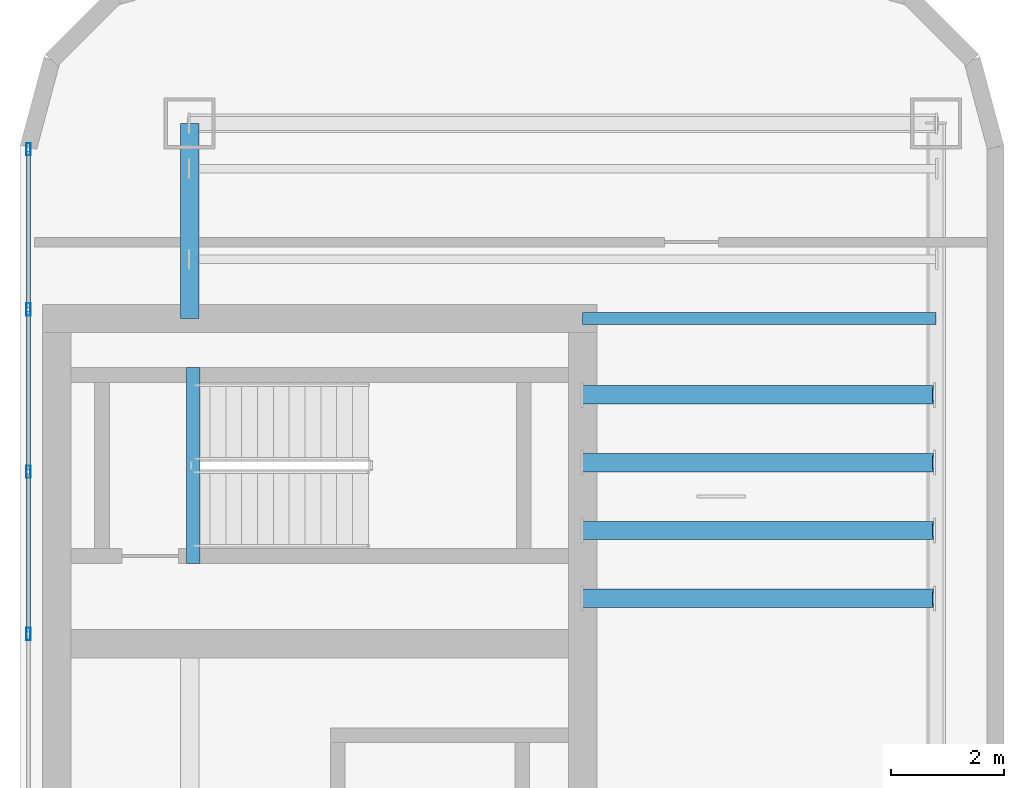
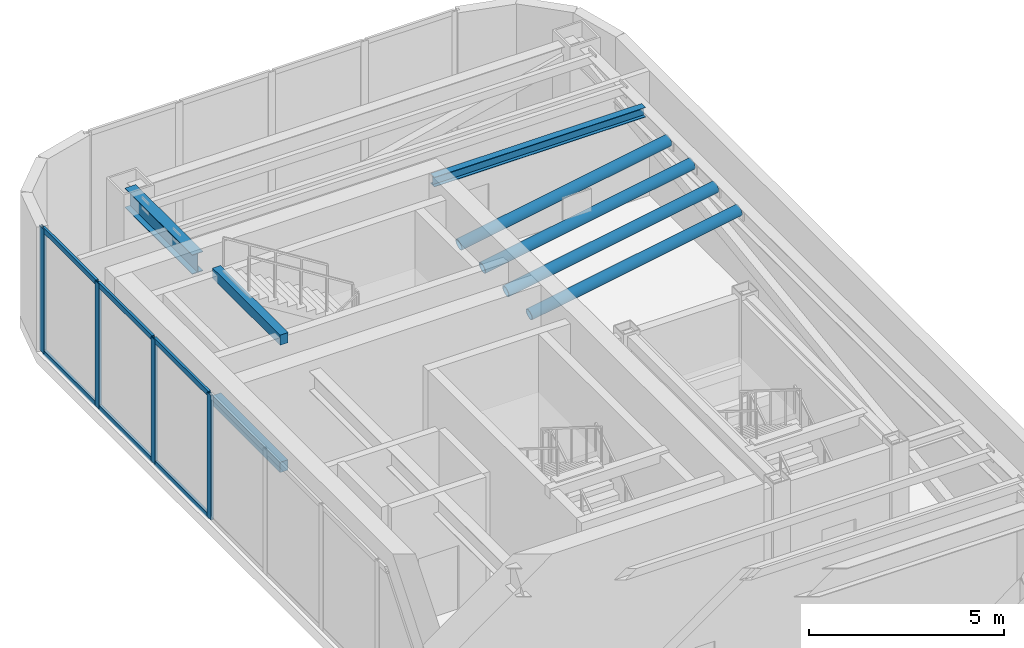
# One storey, part 5 of 9: 14 members, 4 beams, 1 element without a shape of its own.
"""IFC4 building model written with IfcOpenShell, lengths in metres."""

from ifc_helpers import new_model, si_unit, direction, frame, origin, origin_2d, place, context, subcontext, project, spatial, rectangle, hollow_rectangle, hollow_circle, i_section, extrude, material, layer, layer_set, material_profile, profile_set, type_object, element, aggregate, save


model = new_model("IFC4")

# Units and contexts
model_context = context("Model", 3, precision=1e-05, world=origin(), true_north=direction((0.0, 1.0)))
body_context = subcontext(model_context, "Body", "Model", "MODEL_VIEW")
ifc_project = project(units=[si_unit("LENGTHUNIT", "METRE"), si_unit("AREAUNIT", "SQUARE_METRE"), si_unit("VOLUMEUNIT", "CUBIC_METRE"), si_unit("PLANEANGLEUNIT", "RADIAN"), si_unit("MASSUNIT", "GRAM", prefix="KILO")], contexts=[model_context])

# Site, building, storey
site_placement = place(None, origin())
site = spatial("IfcSite", under=ifc_project, at=site_placement, CompositionType="ELEMENT")
building_placement = place(site_placement, origin())
building = spatial("IfcBuilding", under=site, at=building_placement, Name="Kiyonajd Concourse Tower", CompositionType="ELEMENT")
storey_placement = place(building_placement, frame((0.0, 0.0, 372.89990234375)))
storey = spatial("IfcBuildingStorey", under=building, at=storey_placement, Name="L93", CompositionType="ELEMENT", Elevation=372.89990234375)

# Beams
ifc_material_1 = material(Name="Steel ASTM A992 Grade 50", Category="steel")
ifc_material_profile_1 = material_profile(ifc_material_1, i_section(OverallWidth=0.2041015625, OverallDepth=0.305908203125, WebThickness=0.008544921875, FlangeThickness=0.0146484375, at=origin_2d()), Name="W310X67")
ifc_profile_set_1 = profile_set([ifc_material_profile_1], Name="Steel ASTM A992 Grade 50")
beam_type_1 = type_object("IfcBeamType", Name="BM-CRN-310", PredefinedType="BEAM", material=ifc_profile_set_1)
beam_1_placement = place(storey_placement, frame((63.35009765625, 44.14990234375, 3.7470703125), z_axis=(1.0, 0.0, 0.0), x_axis=(0.0, 1.0, 0.0)))
element("IfcBeam", 1, at=beam_1_placement, inside=storey, type_object=beam_type_1, Name="L93 E Crown Core Tie North", PredefinedType="BEAM", context=body_context, shape_type="SweptSolid", body=[
    extrude(i_section(OverallWidth=0.2041015625, OverallDepth=0.305908203125, WebThickness=0.008544921875, FlangeThickness=0.0146484375, at=origin_2d()), origin(), (0.0, 0.0, 1.0), 6.25),
])
ifc_material_2 = material(Name="Concrete C50/60", Category="concrete")
ifc_material_profile_2 = material_profile(ifc_material_2, rectangle(XDim=0.239990234375, YDim=0.320068359375, at=origin_2d()), Name="RCBM-240x320")
ifc_profile_set_2 = profile_set([ifc_material_profile_2], Name="Concrete C50/60")
beam_type_2 = type_object("IfcBeamType", Name="BM-LNT-250", PredefinedType="LINTEL", material=ifc_profile_set_2)
for number, where, z_axis, x_axis, name in (
    (2, (56.4599609375, 39.820068359375, -0.159912109375), (0.0, 1.0, 0.0), (-1.0, 0.0, 0.0), "L93 Stair ST3 Threshold Support Beam"),
    (3, (56.4599609375, 39.820068359375, 3.820068359375), (0.0, 1.0, 0.0), (-1.0, 0.0, 0.0), "ROOF Stair ST3 Threshold Support Beam"),
):
    element("IfcBeam", number, at=place(storey_placement, frame(where, z_axis=z_axis, x_axis=x_axis)), inside=storey, type_object=beam_type_2, Name=name, PredefinedType="LINTEL", context=body_context, shape_type="SweptSolid", body=[
        extrude(rectangle(XDim=0.239990234375, YDim=0.320068359375, at=origin_2d()), origin(), (0.0, 0.0, 1.0), 3.4599609375),
    ])
ifc_material_profile_3 = material_profile(ifc_material_1, i_section(OverallWidth=0.323974609375, OverallDepth=0.611083984375, WebThickness=0.0126953125, FlangeThickness=0.01904296875, at=origin_2d()), Name="W610X155")
ifc_profile_set_3 = profile_set([ifc_material_profile_3], Name="Steel ASTM A992 Grade 50")
beam_type_3 = type_object("IfcBeamType", Name="BM-TWR-610B", PredefinedType="BEAM", material=ifc_profile_set_3)
beam_2_placement = place(storey_placement, frame((56.39990234375, 44.14990234375, 3.594482421875), z_axis=(0.0, 1.0, 0.0), x_axis=(-1.0, 0.0, 0.0)))
element("IfcBeam", 4, at=beam_2_placement, inside=storey, type_object=beam_type_3, Name="L93 E Crown Ring Beam 4N", PredefinedType="BEAM", context=body_context, shape_type="SweptSolid", body=[
    extrude(i_section(OverallWidth=0.323974609375, OverallDepth=0.611083984375, WebThickness=0.0126953125, FlangeThickness=0.01904296875, at=origin_2d()), origin(), (0.0, 0.0, 1.0), 3.4501953125),
])

# Curtain wall, members
ifc_material_3 = material(Name="Thermally Broken Anodised Aluminium", Category="aluminium")
ifc_layer = layer(ifc_material_3, 0.179931640625)
ifc_layer_set = layer_set([ifc_layer], Name="Thermally Broken Anodised Aluminium")
curtain_wall_type = type_object("IfcCurtainWallType", Name="CW-SYS-06", PredefinedType="NOTDEFINED", material=ifc_layer_set)
curtain_wall_placement = place(storey_placement, origin())
curtain_wall = element("IfcCurtainWall", 5, at=curtain_wall_placement, inside=storey, type_object=curtain_wall_type, Name="L93 Unitised Curtain Wall CW6", PredefinedType="NOTDEFINED")
ifc_material_profile_4 = material_profile(ifc_material_3, hollow_rectangle(XDim=0.074951171875, YDim=0.219970703125, WallThickness=0.0048828125, at=origin_2d()), Name="MULL-75x220")
ifc_profile_set_4 = profile_set([ifc_material_profile_4], Name="Thermally Broken Anodised Aluminium")
member_type_1 = type_object("IfcMemberType", Name="MB-CW-MULL2", PredefinedType="MULLION", material=ifc_profile_set_4)
member_1_placement = place(storey_placement, frame((53.550048828125, 38.570068359375, 0.0), z_axis=(0.0, 0.0, 1.0), x_axis=(-1.0, 0.0, 0.0)))
member_1 = element("IfcMember", 6, at=member_1_placement, type_object=member_type_1, Name="CW6 mullion 6", PredefinedType="MULLION", context=body_context, shape_type="SweptSolid", body=[
    extrude(hollow_rectangle(XDim=0.074951171875, YDim=0.219970703125, WallThickness=0.0048828125, at=origin_2d()), origin(), (0.0, 0.0, 1.0), 3.900146484375),
])
member_2_placement = place(storey_placement, frame((53.550048828125, 41.440185546875, 0.0), z_axis=(0.0, 0.0, 1.0), x_axis=(-1.0, 0.0, 0.0)))
member_2 = element("IfcMember", 7, at=member_2_placement, type_object=member_type_1, Name="CW6 mullion 7", PredefinedType="MULLION", context=body_context, shape_type="SweptSolid", body=[
    extrude(hollow_rectangle(XDim=0.074951171875, YDim=0.219970703125, WallThickness=0.0048828125, at=origin_2d()), origin(), (0.0, 0.0, 1.0), 3.900146484375),
])
member_3_placement = place(storey_placement, frame((53.550048828125, 44.31005859375, 0.0), z_axis=(0.0, 0.0, 1.0), x_axis=(-1.0, 0.0, 0.0)))
member_3 = element("IfcMember", 8, at=member_3_placement, type_object=member_type_1, Name="CW6 mullion 8", PredefinedType="MULLION", context=body_context, shape_type="SweptSolid", body=[
    extrude(hollow_rectangle(XDim=0.074951171875, YDim=0.219970703125, WallThickness=0.0048828125, at=origin_2d()), origin(), (0.0, 0.0, 1.0), 3.900146484375),
])
member_4_placement = place(storey_placement, frame((53.550048828125, 47.142578125, 0.0), z_axis=(0.0, 0.0, 1.0), x_axis=(-1.0, 0.0, 0.0)))
member_4 = element("IfcMember", 9, at=member_4_placement, type_object=member_type_1, Name="CW6 mullion 9", PredefinedType="MULLION", context=body_context, shape_type="SweptSolid", body=[
    extrude(hollow_rectangle(XDim=0.074951171875, YDim=0.219970703125, WallThickness=0.0048828125, at=origin_2d()), origin(), (0.0, 0.0, 1.0), 3.900146484375),
])
ifc_material_profile_5 = material_profile(ifc_material_3, hollow_rectangle(XDim=0.074951171875, YDim=0.159912109375, WallThickness=0.0048828125, at=origin_2d()), Name="TRAN-75x160")
ifc_profile_set_5 = profile_set([ifc_material_profile_5], Name="Thermally Broken Anodised Aluminium")
member_type_2 = type_object("IfcMemberType", Name="MB-CW-TRAN2", PredefinedType="USERDEFINED", material=ifc_profile_set_5)
member_5_placement = place(storey_placement, frame((53.550048828125, 38.607666015625, 0.03759765625), z_axis=(0.0, 1.0, 0.0), x_axis=(-1.0, 0.0, 0.0)))
member_5 = element("IfcMember", 10, at=member_5_placement, type_object=member_type_2, Name="CW6 transom 6.1", ObjectType="TRANSOM", PredefinedType="USERDEFINED", context=body_context, shape_type="SweptSolid", body=[
    extrude(hollow_rectangle(XDim=0.074951171875, YDim=0.159912109375, WallThickness=0.0048828125, at=origin_2d()), origin(), (0.0, 0.0, 1.0), 2.794921875),
])
member_6_placement = place(storey_placement, frame((53.550048828125, 38.607666015625, 3.862548828125), z_axis=(0.0, 1.0, 0.0), x_axis=(-1.0, 0.0, 0.0)))
member_6 = element("IfcMember", 11, at=member_6_placement, type_object=member_type_2, Name="CW6 transom 6.2", ObjectType="TRANSOM", PredefinedType="USERDEFINED", context=body_context, shape_type="SweptSolid", body=[
    extrude(hollow_rectangle(XDim=0.074951171875, YDim=0.159912109375, WallThickness=0.0048828125, at=origin_2d()), origin(), (0.0, 0.0, 1.0), 2.794921875),
])
member_7_placement = place(storey_placement, frame((53.550048828125, 41.4775390625, 0.03759765625), z_axis=(0.0, 1.0, 0.0), x_axis=(-1.0, 0.0, 0.0)))
member_7 = element("IfcMember", 12, at=member_7_placement, type_object=member_type_2, Name="CW6 transom 7.1", ObjectType="TRANSOM", PredefinedType="USERDEFINED", context=body_context, shape_type="SweptSolid", body=[
    extrude(hollow_rectangle(XDim=0.074951171875, YDim=0.159912109375, WallThickness=0.0048828125, at=origin_2d()), origin(), (0.0, 0.0, 1.0), 2.795166015625),
])
member_8_placement = place(storey_placement, frame((53.550048828125, 41.4775390625, 3.862548828125), z_axis=(0.0, 1.0, 0.0), x_axis=(-1.0, 0.0, 0.0)))
member_8 = element("IfcMember", 13, at=member_8_placement, type_object=member_type_2, Name="CW6 transom 7.2", ObjectType="TRANSOM", PredefinedType="USERDEFINED", context=body_context, shape_type="SweptSolid", body=[
    extrude(hollow_rectangle(XDim=0.074951171875, YDim=0.159912109375, WallThickness=0.0048828125, at=origin_2d()), origin(), (0.0, 0.0, 1.0), 2.795166015625),
])
member_9_placement = place(storey_placement, frame((53.550048828125, 44.34765625, 0.03759765625), z_axis=(0.0, 1.0, 0.0), x_axis=(-1.0, 0.0, 0.0)))
member_9 = element("IfcMember", 14, at=member_9_placement, type_object=member_type_2, Name="CW6 transom 8.1", ObjectType="TRANSOM", PredefinedType="USERDEFINED", context=body_context, shape_type="SweptSolid", body=[
    extrude(hollow_rectangle(XDim=0.074951171875, YDim=0.159912109375, WallThickness=0.0048828125, at=origin_2d()), origin(), (0.0, 0.0, 1.0), 2.757568359375),
])
member_10_placement = place(storey_placement, frame((53.550048828125, 44.34765625, 3.862548828125), z_axis=(0.0, 1.0, 0.0), x_axis=(-1.0, 0.0, 0.0)))
member_10 = element("IfcMember", 15, at=member_10_placement, type_object=member_type_2, Name="CW6 transom 8.2", ObjectType="TRANSOM", PredefinedType="USERDEFINED", context=body_context, shape_type="SweptSolid", body=[
    extrude(hollow_rectangle(XDim=0.074951171875, YDim=0.159912109375, WallThickness=0.0048828125, at=origin_2d()), origin(), (0.0, 0.0, 1.0), 2.757568359375),
])
aggregate(curtain_wall, [member_1, member_2, member_3, member_4, member_5, member_6, member_7, member_8, member_9, member_10])

# Members
ifc_material_4 = material(Name="Steel ASTM A500 Grade C", Category="steel")
ifc_material_profile_6 = material_profile(ifc_material_4, hollow_circle(Radius=0.162109375, WallThickness=0.01611328125, at=origin_2d()), Name="CHS-324x16")
ifc_profile_set_6 = profile_set([ifc_material_profile_6], Name="Steel ASTM A500 Grade C")
member_type_3 = type_object("IfcMemberType", Name="MB-TMD-HGR", PredefinedType="MEMBER", material=ifc_profile_set_6)
for number, where, z_axis, x_axis, name in (
    (16, (63.35009765625, 39.199951171875, 2.550048828125), (0.984668768786, 0.0, 0.174434560157), (0.0, 1.0, 0.0), "TMD Pendulum Suspension Strut 1"),
    (17, (63.35009765625, 40.39990234375, 2.550048828125), (0.984668768786, 0.0, 0.174434560157), (0.0, 1.0, 0.0), "TMD Pendulum Suspension Strut 2"),
    (18, (63.35009765625, 41.60009765625, 2.550048828125), (0.984668768786, 0.0, 0.174434560157), (0.0, 1.0, 0.0), "TMD Pendulum Suspension Strut 3"),
    (19, (63.35009765625, 42.800048828125, 2.550048828125), (0.984668768786, 0.0, 0.174434560157), (0.0, 1.0, 0.0), "TMD Pendulum Suspension Strut 4"),
):
    element("IfcMember", number, at=place(storey_placement, frame(where, z_axis=z_axis, x_axis=x_axis)), inside=storey, type_object=member_type_3, Name=name, PredefinedType="MEMBER", context=body_context, shape_type="SweptSolid", body=[
        extrude(hollow_circle(Radius=0.162109375, WallThickness=0.01611328125, at=origin_2d()), origin(), (0.0, 0.0, 1.0), 6.306640625),
    ])

save(model, "model.ifc")
